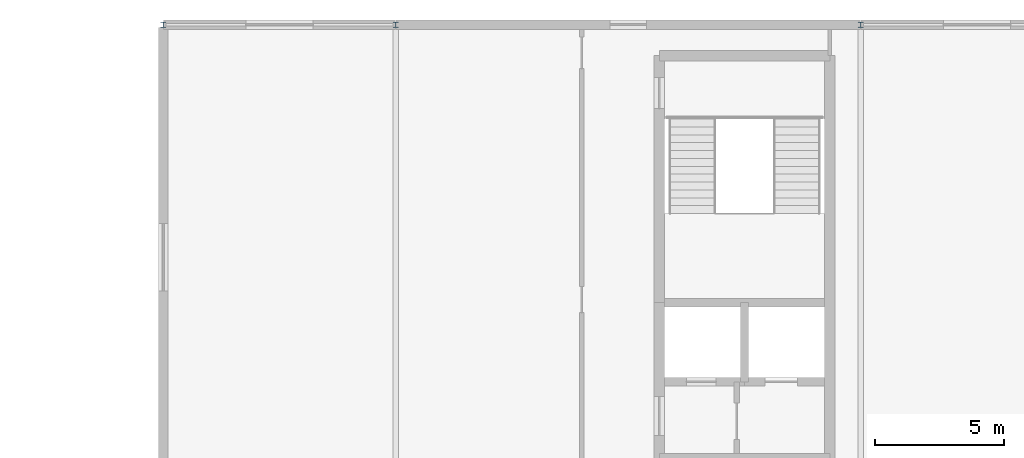
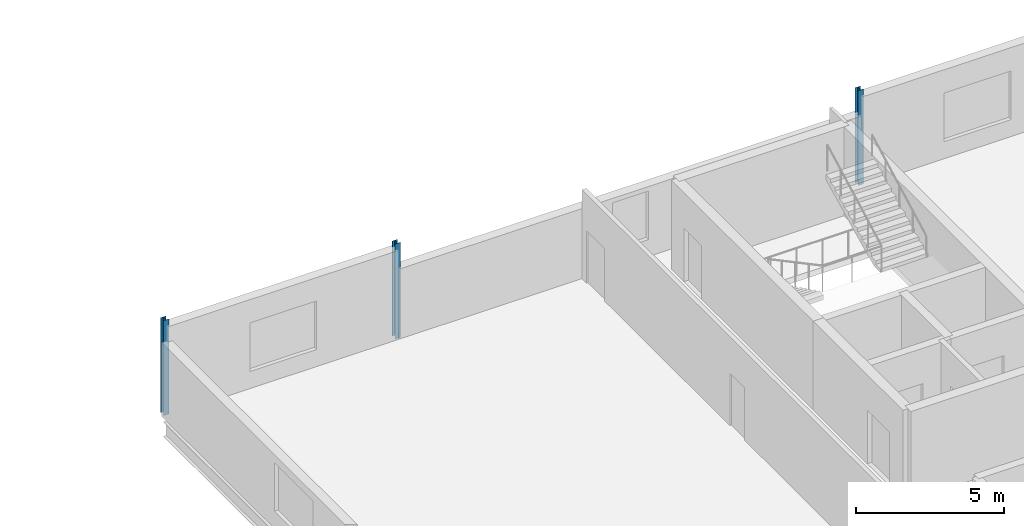
# One storey, part 15 of 35: 3 columns.
"""IFC4 building model written with IfcOpenShell, lengths in metres."""

from ifc_helpers import new_model, si_unit, direction, frame, origin, origin_2d, place, context, subcontext, project, spatial, i_section, extrude, material, material_profile, profile_set, type_object, element, save


model = new_model("IFC4")

# Units and contexts
model_context = context("Model", 3, precision=1e-05, world=origin(), true_north=direction((0.0, 1.0)))
body_context = subcontext(model_context, "Body", "Model", "MODEL_VIEW")
ifc_project = project(units=[si_unit("LENGTHUNIT", "METRE"), si_unit("AREAUNIT", "SQUARE_METRE"), si_unit("VOLUMEUNIT", "CUBIC_METRE"), si_unit("PLANEANGLEUNIT", "RADIAN"), si_unit("MASSUNIT", "GRAM", prefix="KILO")], contexts=[model_context])

# Site, building, storey
site_placement = place(None, origin())
site = spatial("IfcSite", under=ifc_project, at=site_placement, CompositionType="ELEMENT")
building_placement = place(site_placement, origin())
building = spatial("IfcBuilding", under=site, at=building_placement, Name="Kisiwana Market Hall", CompositionType="ELEMENT")
storey_placement = place(building_placement, frame((0.0, 0.0, 61.800048828125)))
storey = spatial("IfcBuildingStorey", under=building, at=storey_placement, Name="L14", CompositionType="ELEMENT", Elevation=61.800048828125)

# Columns
ifc_material = material(Name="Steel S355", Category="steel")
ifc_material_profile = material_profile(ifc_material, i_section(OverallWidth=0.205810546875, OverallDepth=0.209716796875, WebThickness=0.009521484375, FlangeThickness=0.01416015625, FilletRadius=0.01025390625, at=origin_2d()), Name="UC 203x203x60")
ifc_profile_set = profile_set([ifc_material_profile], Name="Steel S355")
column_type = type_object("IfcColumnType", Name="COL-STL-UC060", PredefinedType="COLUMN", material=ifc_profile_set)
for number, where, z_axis, x_axis, name in (
    (1, (162.0, 102.0, 0.0), (0.0, 0.0, 1.0), (1.0, 0.0, 0.0), "Column N/19 (L14) C-1463"),
    (2, (171.0, 102.0, 0.0), (0.0, 0.0, 1.0), (1.0, 0.0, 0.0), "Column N/20 (L14) C-1468"),
    (3, (189.0, 102.0, 0.0), (0.0, 0.0, 1.0), (1.0, 0.0, 0.0), "Column N/22 (L14) C-1472"),
):
    element("IfcColumn", number, at=place(storey_placement, frame(where, z_axis=z_axis, x_axis=x_axis)), inside=storey, type_object=column_type, Name=name, PredefinedType="COLUMN", context=body_context, shape_type="SweptSolid", body=[
        extrude(i_section(OverallWidth=0.205810546875, OverallDepth=0.209716796875, WebThickness=0.009521484375, FlangeThickness=0.01416015625, FilletRadius=0.01025390625, at=origin_2d()), origin(), (0.0, 0.0, 1.0), 3.89990234375),
    ])

save(model, "model.ifc")
